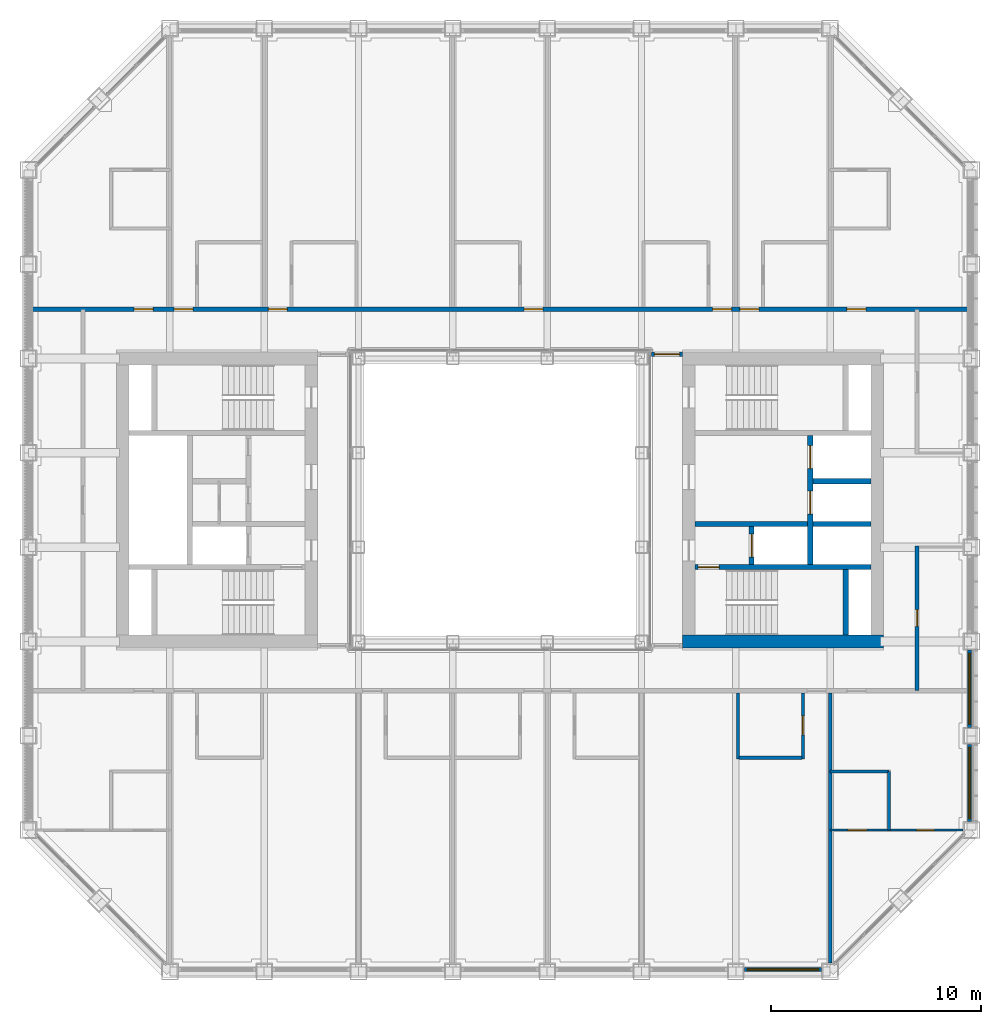
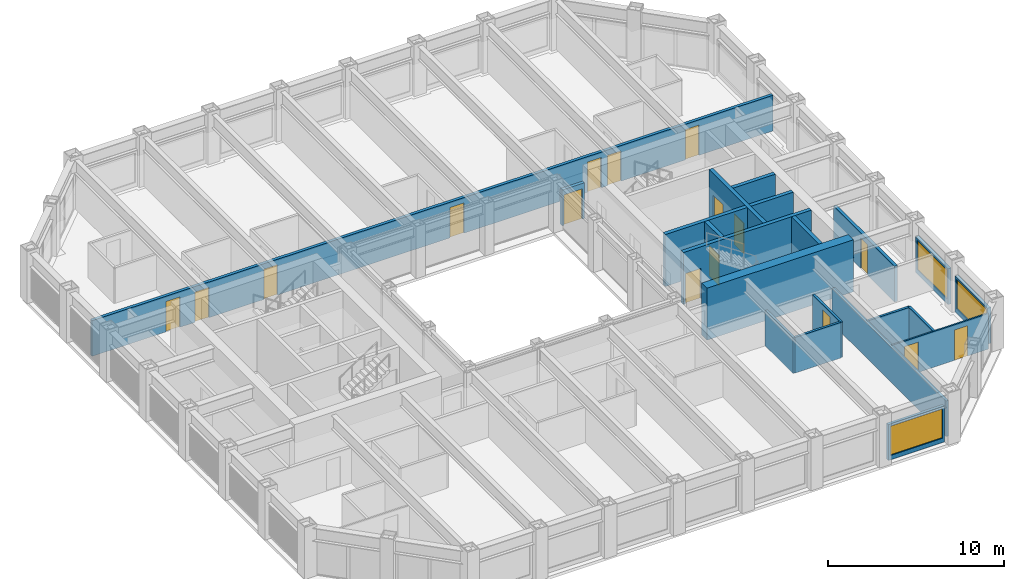
# One storey, part 12 of 17: 21 walls, 16 doors, 3 windows, 19 openings.
"""IFC4 building model written with IfcOpenShell, lengths in metres."""

from ifc_helpers import new_model, si_unit, direction, frame, frame_2d, origin, place, context, subcontext, project, spatial, rectangle, extrude, material, layer, layer_set, type_object, element, fill, save


model = new_model("IFC4")

# Units and contexts
model_context = context("Model", 3, precision=1e-05, world=origin(), true_north=direction((0.0, 1.0)))
body_context = subcontext(model_context, "Body", "Model", "MODEL_VIEW")
ifc_project = project(units=[si_unit("LENGTHUNIT", "METRE"), si_unit("AREAUNIT", "SQUARE_METRE"), si_unit("VOLUMEUNIT", "CUBIC_METRE"), si_unit("PLANEANGLEUNIT", "RADIAN"), si_unit("MASSUNIT", "GRAM", prefix="KILO")], contexts=[model_context])

# Site, building, storey
site_placement = place(None, origin())
site = spatial("IfcSite", under=ifc_project, at=site_placement, CompositionType="ELEMENT")
building_placement = place(site_placement, origin())
building = spatial("IfcBuilding", under=site, at=building_placement, Name="Msasa Ring Tower", CompositionType="ELEMENT")
storey_placement = place(building_placement, frame((0.0, 0.0, 150.800048828125)))
storey = spatial("IfcBuildingStorey", under=building, at=storey_placement, Name="L39", CompositionType="ELEMENT", Elevation=150.800048828125)

# Wall
ifc_material_1 = material(Name="Concrete C60/75", Category="concrete")
ifc_layer_1 = layer(ifc_material_1, 0.60009765625)
ifc_layer_set_1 = layer_set([ifc_layer_1], Name="CW2 CORE WALL 600")
wall_type_1 = type_object("IfcWallType", Name="CW2 CORE WALL 600", PredefinedType="SHEAR", material=ifc_layer_set_1)
wall_1_placement = place(storey_placement, frame((8.699951171875, -6.75, 0.0), z_axis=(0.0, 0.0, 1.0), x_axis=(1.0, 0.0, 0.0)))
element("IfcWall", 1, at=wall_1_placement, inside=storey, type_object=wall_type_1, Name="E core wall S L39", PredefinedType="SHEAR", context=body_context, shape_type="SweptSolid", body=[
    extrude(rectangle(XDim=9.60009765625, YDim=0.60009765625, at=frame_2d((4.800048828125, 0.0))), origin(), (0.0, 0.0, 1.0), 3.599853515625),
])

# Wall, opening, door
ifc_material_2 = material(Name="Concrete C60/75", Category="concrete")
ifc_layer_2 = layer(ifc_material_2, 0.25)
ifc_layer_set_2 = layer_set([ifc_layer_2], Name="CW4 CORE INNER WALL 250")
wall_type_2 = type_object("IfcWallType", Name="CW4 CORE INNER WALL 250", PredefinedType="SHEAR", material=ifc_layer_set_2)
wall_2_placement = place(storey_placement, frame((9.300048828125, -3.199951171875, 0.0), z_axis=(0.0, 0.0, 1.0), x_axis=(1.0, 0.0, 0.0)))
wall_2 = element("IfcWall", 2, at=wall_2_placement, inside=storey, type_object=wall_type_2, Name="E core wall STAIRA L39", PredefinedType="SHEAR", context=body_context, shape_type="SweptSolid", body=[
    extrude(rectangle(XDim=8.39990234375, YDim=0.25, at=frame_2d((4.199951171875, 0.0))), origin(), (0.0, 0.0, 1.0), 3.599853515625),
])
opening_1_placement = place(wall_2_placement, frame((0.14990234375, 0.0, 0.0)))
opening_1 = element("IfcOpeningElement", 3, at=opening_1_placement, cuts=wall_2, Name="Opening HD-029", PredefinedType="OPENING", context=body_context, shape_type="SweptSolid", body=[
    extrude(rectangle(XDim=1.0, YDim=2.10009765625, at=frame_2d((0.5, 1.050048828125))), frame((0.0, 0.135009765625, 0.0), z_axis=(0.0, -1.0, 0.0), x_axis=(1.0, 0.0, 0.0)), (0.0, 0.0, 1.0), 0.27001953125),
])
ifc_material_3 = material(Name="Timber door leaf in a steel frame", Category="steel")
door_type_1 = type_object("IfcDoorType", Name="D6 STAIR DOOR 1000x2100", OperationType="SINGLE_SWING_LEFT", PredefinedType="DOOR", material=ifc_material_3)
door_1_placement = place(opening_1_placement, origin())
door_1 = element("IfcDoor", 4, at=door_1_placement, inside=storey, type_object=door_type_1, Name="Door L39-ESTA", OperationType="SINGLE_SWING_LEFT", OverallHeight=2.10009765625, OverallWidth=1.0, PredefinedType="DOOR", context=body_context, shape_type="SweptSolid", body=[
    extrude(rectangle(XDim=1.0, YDim=2.10009765625, at=frame_2d((0.5, 1.050048828125))), frame((0.0, 0.02490234375, 0.0), z_axis=(0.0, -1.0, 0.0), x_axis=(1.0, 0.0, 0.0)), (0.0, 0.0, 1.0), 0.050048828125),
])
fill(opening_1, door_1)

# Walls
wall_3_placement = place(storey_placement, frame((16.5, -6.449951171875, 0.0), z_axis=(0.0, 0.0, 1.0), x_axis=(0.0, 1.0, 0.0)))
element("IfcWall", 5, at=wall_3_placement, inside=storey, type_object=wall_type_2, Name="E core wall RISERA L39", PredefinedType="SHEAR", context=body_context, shape_type="SweptSolid", body=[
    extrude(rectangle(XDim=3.125, YDim=0.25, at=frame_2d((1.5625, 0.0))), origin(), (0.0, 0.0, 1.0), 3.599853515625),
])
wall_4_placement = place(storey_placement, frame((9.300048828125, -1.14990234375, 0.0), z_axis=(0.0, 0.0, 1.0), x_axis=(1.0, 0.0, 0.0)))
element("IfcWall", 6, at=wall_4_placement, inside=storey, type_object=wall_type_2, Name="E core wall FFL L39", PredefinedType="SHEAR", context=body_context, shape_type="SweptSolid", body=[
    extrude(rectangle(XDim=5.375, YDim=0.25, at=frame_2d((2.6875, 0.0))), origin(), (0.0, 0.0, 1.0), 3.599853515625),
])

# Wall, opening, door
wall_5_placement = place(storey_placement, frame((12.0, -3.074951171875, 0.0), z_axis=(0.0, 0.0, 1.0), x_axis=(0.0, 1.0, 0.0)))
wall_5 = element("IfcWall", 7, at=wall_5_placement, inside=storey, type_object=wall_type_2, Name="E core wall LOBBY L39", PredefinedType="SHEAR", context=body_context, shape_type="SweptSolid", body=[
    extrude(rectangle(XDim=1.800048828125, YDim=0.25, at=frame_2d((0.89990234375, 0.0))), origin(), (0.0, 0.0, 1.0), 3.599853515625),
])
opening_2_placement = place(wall_5_placement, frame((0.35009765625, 0.0, 0.0)))
opening_2 = element("IfcOpeningElement", 8, at=opening_2_placement, cuts=wall_5, Name="Opening LD1", PredefinedType="OPENING", context=body_context, shape_type="SweptSolid", body=[
    extrude(rectangle(XDim=1.10009765625, YDim=2.10009765625, at=frame_2d((0.550048828125, 1.050048828125))), frame((0.0, 0.135009765625, 0.0), z_axis=(0.0, -1.0, 0.0), x_axis=(1.0, 0.0, 0.0)), (0.0, 0.0, 1.0), 0.27001953125),
])
ifc_material_4 = material(Name="Stainless steel lift landing door", Category="steel")
door_type_2 = type_object("IfcDoorType", Name="LD1 LIFT LANDING DOOR 1100x2100", OperationType="DOUBLE_DOOR_SLIDING", PredefinedType="DOOR", material=ifc_material_4)
door_2_placement = place(opening_2_placement, origin())
door_2 = element("IfcDoor", 9, at=door_2_placement, inside=storey, type_object=door_type_2, Name="Lift landing door FL-E L39", OperationType="DOUBLE_DOOR_SLIDING", OverallHeight=2.10009765625, OverallWidth=1.10009765625, PredefinedType="DOOR", context=body_context, shape_type="SweptSolid", body=[
    extrude(rectangle(XDim=1.10009765625, YDim=2.10009765625, at=frame_2d((0.550048828125, 1.050048828125))), frame((0.0, 0.02490234375, 0.0), z_axis=(0.0, -1.0, 0.0), x_axis=(1.0, 0.0, 0.0)), (0.0, 0.0, 1.0), 0.050048828125),
])
fill(opening_2, door_2)

# Wall, openings, doors
wall_6_placement = place(storey_placement, frame((14.800048828125, -3.074951171875, 0.0), z_axis=(0.0, 0.0, 1.0), x_axis=(0.0, 1.0, 0.0)))
wall_6 = element("IfcWall", 10, at=wall_6_placement, inside=storey, type_object=wall_type_2, Name="E core wall SHAFT L39", PredefinedType="SHEAR", context=body_context, shape_type="SweptSolid", body=[
    extrude(rectangle(XDim=6.14990234375, YDim=0.25, at=frame_2d((3.074951171875, 0.0))), origin(), (0.0, 0.0, 1.0), 3.599853515625),
])
opening_3_placement = place(wall_6_placement, frame((2.39990234375, 0.0, 0.0)))
opening_3 = element("IfcOpeningElement", 11, at=opening_3_placement, cuts=wall_6, Name="Opening LD1", PredefinedType="OPENING", context=body_context, shape_type="SweptSolid", body=[
    extrude(rectangle(XDim=1.10009765625, YDim=2.10009765625, at=frame_2d((0.550048828125, 1.050048828125))), frame((0.0, 0.135009765625, 0.0), z_axis=(0.0, -1.0, 0.0), x_axis=(1.0, 0.0, 0.0)), (0.0, 0.0, 1.0), 0.27001953125),
])
opening_4_placement = place(wall_6_placement, frame((4.574951171875, 0.0, 0.0)))
opening_4 = element("IfcOpeningElement", 12, at=opening_4_placement, cuts=wall_6, Name="Opening LD1", PredefinedType="OPENING", context=body_context, shape_type="SweptSolid", body=[
    extrude(rectangle(XDim=1.10009765625, YDim=2.10009765625, at=frame_2d((0.550048828125, 1.050048828125))), frame((0.0, 0.135009765625, 0.0), z_axis=(0.0, -1.0, 0.0), x_axis=(1.0, 0.0, 0.0)), (0.0, 0.0, 1.0), 0.27001953125),
])
door_3_placement = place(opening_3_placement, origin())
door_3 = element("IfcDoor", 13, at=door_3_placement, inside=storey, type_object=door_type_2, Name="Lift landing door PL-H1 L39", OperationType="DOUBLE_DOOR_SLIDING", OverallHeight=2.10009765625, OverallWidth=1.10009765625, PredefinedType="DOOR", context=body_context, shape_type="SweptSolid", body=[
    extrude(rectangle(XDim=1.10009765625, YDim=2.10009765625, at=frame_2d((0.550048828125, 1.050048828125))), frame((0.0, 0.02490234375, 0.0), z_axis=(0.0, -1.0, 0.0), x_axis=(1.0, 0.0, 0.0)), (0.0, 0.0, 1.0), 0.050048828125),
])
fill(opening_3, door_3)
door_4_placement = place(opening_4_placement, origin())
door_4 = element("IfcDoor", 14, at=door_4_placement, inside=storey, type_object=door_type_2, Name="Lift landing door PL-H2 L39", OperationType="DOUBLE_DOOR_SLIDING", OverallHeight=2.10009765625, OverallWidth=1.10009765625, PredefinedType="DOOR", context=body_context, shape_type="SweptSolid", body=[
    extrude(rectangle(XDim=1.10009765625, YDim=2.10009765625, at=frame_2d((0.550048828125, 1.050048828125))), frame((0.0, 0.02490234375, 0.0), z_axis=(0.0, -1.0, 0.0), x_axis=(1.0, 0.0, 0.0)), (0.0, 0.0, 1.0), 0.050048828125),
])
fill(opening_4, door_4)

# Walls
for number, where, z_axis, x_axis, name in (
    (15, (14.925048828125, -1.14990234375, 0.0), (0.0, 0.0, 1.0), (1.0, 0.0, 0.0), "E core wall HSEP L39"),
    (16, (14.925048828125, 0.89990234375, 0.0), (0.0, 0.0, 1.0), (1.0, 0.0, 0.0), "E core wall HLIFT L39"),
):
    element("IfcWall", number, at=place(storey_placement, frame(where, z_axis=z_axis, x_axis=x_axis)), inside=storey, type_object=wall_type_2, Name=name, PredefinedType="SHEAR", context=body_context, shape_type="SweptSolid", body=[
        extrude(rectangle(XDim=2.77490234375, YDim=0.25, at=frame_2d((1.387451171875, 0.0))), origin(), (0.0, 0.0, 1.0), 3.599853515625),
    ])

# Wall, opening, window
ifc_material_5 = material(Name="Terracotta rainscreen on blockwork", Category="masonry")
ifc_layer_3 = layer(ifc_material_5, 0.199951171875)
ifc_layer_set_3 = layer_set([ifc_layer_3], Name="FW1 TERRACOTTA-LINED INFILL BAY WALL 200")
wall_type_3 = type_object("IfcWallType", Name="FW1 TERRACOTTA-LINED INFILL BAY WALL 200", PredefinedType="SOLIDWALL", material=ifc_layer_set_3)
wall_7_placement = place(storey_placement, frame((11.655029296875, -22.39990234375, 0.0), z_axis=(0.0, 0.0, 1.0), x_axis=(1.0, 0.0, 0.0)))
wall_7 = element("IfcWall", 17, at=wall_7_placement, inside=storey, type_object=wall_type_3, Name="Infill bay wall S L39 06", PredefinedType="SOLIDWALL", context=body_context, shape_type="SweptSolid", body=[
    extrude(rectangle(XDim=3.68994140625, YDim=0.199951171875, at=frame_2d((1.844970703125, 0.0))), origin(), (0.0, 0.0, 1.0), 2.47900390625),
])
opening_5_placement = place(wall_7_placement, frame((0.14501953125, 0.0, 0.300048828125)))
opening_5 = element("IfcOpeningElement", 18, at=opening_5_placement, cuts=wall_7, Name="Opening WN2", PredefinedType="OPENING", context=body_context, shape_type="SweptSolid", body=[
    extrude(rectangle(XDim=3.39990234375, YDim=2.029052734375, at=frame_2d((1.699951171875, 1.0146484375))), frame((0.0, 0.10986328125, 0.0), z_axis=(0.0, -1.0, 0.0), x_axis=(1.0, 0.0, 0.0)), (0.0, 0.0, 1.0), 0.219970703125),
])
ifc_material_6 = material(Name="Aluminium frame with clear glass", Category="aluminium")
window_type = type_object("IfcWindowType", Name="WN2 GUEST ROOM WINDOW 3400x2029", PartitioningType="SINGLE_PANEL", PredefinedType="WINDOW", material=ifc_material_6)
window_1_placement = place(opening_5_placement, origin())
window_1 = element("IfcWindow", 19, at=window_1_placement, inside=storey, type_object=window_type, Name="Window S L39 06", OverallHeight=2.029052734375, OverallWidth=3.39990234375, PartitioningType="SINGLE_PANEL", PredefinedType="WINDOW", context=body_context, shape_type="SweptSolid", body=[
    extrude(rectangle(XDim=3.39990234375, YDim=2.029052734375, at=frame_2d((1.699951171875, 1.0146484375))), frame((0.0, 0.030029296875, 0.0), z_axis=(0.0, -1.0, 0.0), x_axis=(1.0, 0.0, 0.0)), (0.0, 0.0, 1.0), 0.06005859375),
])
fill(opening_5, window_1)

wall_8_placement = place(storey_placement, frame((22.39990234375, -15.344970703125, 0.0), z_axis=(0.0, 0.0, 1.0), x_axis=(0.0, 1.0, 0.0)))
wall_8 = element("IfcWall", 20, at=wall_8_placement, inside=storey, type_object=wall_type_3, Name="Infill bay wall E L39 09", PredefinedType="SOLIDWALL", context=body_context, shape_type="SweptSolid", body=[
    extrude(rectangle(XDim=3.68994140625, YDim=0.199951171875, at=frame_2d((1.844970703125, 0.0))), origin(), (0.0, 0.0, 1.0), 2.47900390625),
])
opening_6_placement = place(wall_8_placement, frame((0.14501953125, 0.0, 0.300048828125)))
opening_6 = element("IfcOpeningElement", 21, at=opening_6_placement, cuts=wall_8, Name="Opening WN2", PredefinedType="OPENING", context=body_context, shape_type="SweptSolid", body=[
    extrude(rectangle(XDim=3.39990234375, YDim=2.029052734375, at=frame_2d((1.699951171875, 1.0146484375))), frame((0.0, 0.10986328125, 0.0), z_axis=(0.0, -1.0, 0.0), x_axis=(1.0, 0.0, 0.0)), (0.0, 0.0, 1.0), 0.219970703125),
])
window_2_placement = place(opening_6_placement, origin())
window_2 = element("IfcWindow", 22, at=window_2_placement, inside=storey, type_object=window_type, Name="Window E L39 09", OverallHeight=2.029052734375, OverallWidth=3.39990234375, PartitioningType="SINGLE_PANEL", PredefinedType="WINDOW", context=body_context, shape_type="SweptSolid", body=[
    extrude(rectangle(XDim=3.39990234375, YDim=2.029052734375, at=frame_2d((1.699951171875, 1.0146484375))), frame((0.0, 0.030029296875, 0.0), z_axis=(0.0, -1.0, 0.0), x_axis=(1.0, 0.0, 0.0)), (0.0, 0.0, 1.0), 0.06005859375),
])
fill(opening_6, window_2)

wall_9_placement = place(storey_placement, frame((22.39990234375, -10.844970703125, 0.0), z_axis=(0.0, 0.0, 1.0), x_axis=(0.0, 1.0, 0.0)))
wall_9 = element("IfcWall", 23, at=wall_9_placement, inside=storey, type_object=wall_type_3, Name="Infill bay wall E L39 10", PredefinedType="SOLIDWALL", context=body_context, shape_type="SweptSolid", body=[
    extrude(rectangle(XDim=3.68994140625, YDim=0.199951171875, at=frame_2d((1.844970703125, 0.0))), origin(), (0.0, 0.0, 1.0), 2.47900390625),
])
opening_7_placement = place(wall_9_placement, frame((0.14501953125, 0.0, 0.300048828125)))
opening_7 = element("IfcOpeningElement", 24, at=opening_7_placement, cuts=wall_9, Name="Opening WN2", PredefinedType="OPENING", context=body_context, shape_type="SweptSolid", body=[
    extrude(rectangle(XDim=3.39990234375, YDim=2.029052734375, at=frame_2d((1.699951171875, 1.0146484375))), frame((0.0, 0.10986328125, 0.0), z_axis=(0.0, -1.0, 0.0), x_axis=(1.0, 0.0, 0.0)), (0.0, 0.0, 1.0), 0.219970703125),
])
window_3_placement = place(opening_7_placement, origin())
window_3 = element("IfcWindow", 25, at=window_3_placement, inside=storey, type_object=window_type, Name="Window E L39 10", OverallHeight=2.029052734375, OverallWidth=3.39990234375, PartitioningType="SINGLE_PANEL", PredefinedType="WINDOW", context=body_context, shape_type="SweptSolid", body=[
    extrude(rectangle(XDim=3.39990234375, YDim=2.029052734375, at=frame_2d((1.699951171875, 1.0146484375))), frame((0.0, 0.030029296875, 0.0), z_axis=(0.0, -1.0, 0.0), x_axis=(1.0, 0.0, 0.0)), (0.0, 0.0, 1.0), 0.06005859375),
])
fill(opening_7, window_3)

# Wall, opening, door
ifc_material_7 = material(Name="Concrete blockwork", Category="masonry")
ifc_layer_4 = layer(ifc_material_7, 0.199951171875)
ifc_layer_set_4 = layer_set([ifc_layer_4], Name="PT1 CORRIDOR WALL 200")
wall_type_4 = type_object("IfcWallType", Name="PT1 CORRIDOR WALL 200", PredefinedType="PARTITIONING", material=ifc_layer_set_4)
wall_10_placement = place(storey_placement, frame((7.22998046875, 6.949951171875, 0.0), z_axis=(0.0, 0.0, 1.0), x_axis=(1.0, 0.0, 0.0)))
wall_10 = element("IfcWall", 26, at=wall_10_placement, inside=storey, type_object=wall_type_4, Name="Corridor wall L39-SDEN", PredefinedType="PARTITIONING", context=body_context, shape_type="SweptSolid", body=[
    extrude(rectangle(XDim=1.469970703125, YDim=0.199951171875, at=frame_2d((0.73486328125, 0.0))), origin(), (0.0, 0.0, 1.0), 2.473388671875),
])
opening_8_placement = place(wall_10_placement, frame((0.135009765625, 0.0, 0.0)))
opening_8 = element("IfcOpeningElement", 27, at=opening_8_placement, cuts=wall_10, Name="Opening HD-016", PredefinedType="OPENING", context=body_context, shape_type="SweptSolid", body=[
    extrude(rectangle(XDim=1.199951171875, YDim=2.10009765625, at=frame_2d((0.60009765625, 1.050048828125))), frame((0.0, 0.10986328125, 0.0), z_axis=(0.0, -1.0, 0.0), x_axis=(1.0, 0.0, 0.0)), (0.0, 0.0, 1.0), 0.219970703125),
])
ifc_material_8 = material(Name="Timber door leaf in a steel frame", Category="steel")
door_type_3 = type_object("IfcDoorType", Name="D25 CORRIDOR PAIR OF SMOKE DOORS 1200x2100", OperationType="DOUBLE_DOOR_DOUBLE_SWING", PredefinedType="DOOR", material=ifc_material_8)
door_5_placement = place(opening_8_placement, origin())
door_5 = element("IfcDoor", 28, at=door_5_placement, inside=storey, type_object=door_type_3, Name="Door L39-SDEN", OperationType="DOUBLE_DOOR_DOUBLE_SWING", OverallHeight=2.10009765625, OverallWidth=1.199951171875, PredefinedType="DOOR", context=body_context, shape_type="SweptSolid", body=[
    extrude(rectangle(XDim=1.199951171875, YDim=2.10009765625, at=frame_2d((0.60009765625, 1.050048828125))), frame((0.0, 0.02490234375, 0.0), z_axis=(0.0, -1.0, 0.0), x_axis=(1.0, 0.0, 0.0)), (0.0, 0.0, 1.0), 0.050048828125),
])
fill(opening_8, door_5)

# Wall, openings, doors
wall_11_placement = place(storey_placement, frame((-22.300048828125, 9.10009765625, 0.0), z_axis=(0.0, 0.0, 1.0), x_axis=(1.0, 0.0, 0.0)))
wall_11 = element("IfcWall", 29, at=wall_11_placement, inside=storey, type_object=wall_type_4, Name="Corridor wall L39-CORRN0", PredefinedType="PARTITIONING", context=body_context, shape_type="SweptSolid", body=[
    extrude(rectangle(XDim=44.60009765625, YDim=0.199951171875, at=frame_2d((22.300048828125, 0.0))), origin(), (0.0, 0.0, 1.0), 2.473388671875),
])
opening_9_placement = place(wall_11_placement, frame((6.75, 0.0, 0.0)))
opening_9 = element("IfcOpeningElement", 30, at=opening_9_placement, cuts=wall_11, Name="Opening HD-009", PredefinedType="OPENING", context=body_context, shape_type="SweptSolid", body=[
    extrude(rectangle(XDim=0.89990234375, YDim=2.10009765625, at=frame_2d((0.449951171875, 1.050048828125))), frame((0.0, 0.10986328125, 0.0), z_axis=(0.0, -1.0, 0.0), x_axis=(1.0, 0.0, 0.0)), (0.0, 0.0, 1.0), 0.219970703125),
])
opening_10_placement = place(wall_11_placement, frame((11.25, 0.0, 0.0)))
opening_10 = element("IfcOpeningElement", 31, at=opening_10_placement, cuts=wall_11, Name="Opening HD-010", PredefinedType="OPENING", context=body_context, shape_type="SweptSolid", body=[
    extrude(rectangle(XDim=0.89990234375, YDim=2.10009765625, at=frame_2d((0.449951171875, 1.050048828125))), frame((0.0, 0.10986328125, 0.0), z_axis=(0.0, -1.0, 0.0), x_axis=(1.0, 0.0, 0.0)), (0.0, 0.0, 1.0), 0.219970703125),
])
opening_11_placement = place(wall_11_placement, frame((23.449951171875, 0.0, 0.0)))
opening_11 = element("IfcOpeningElement", 32, at=opening_11_placement, cuts=wall_11, Name="Opening HD-011", PredefinedType="OPENING", context=body_context, shape_type="SweptSolid", body=[
    extrude(rectangle(XDim=0.89990234375, YDim=2.10009765625, at=frame_2d((0.449951171875, 1.050048828125))), frame((0.0, 0.10986328125, 0.0), z_axis=(0.0, -1.0, 0.0), x_axis=(1.0, 0.0, 0.0)), (0.0, 0.0, 1.0), 0.219970703125),
])
opening_12_placement = place(wall_11_placement, frame((32.449951171875, 0.0, 0.0)))
opening_12 = element("IfcOpeningElement", 33, at=opening_12_placement, cuts=wall_11, Name="Opening HD-012", PredefinedType="OPENING", context=body_context, shape_type="SweptSolid", body=[
    extrude(rectangle(XDim=0.89990234375, YDim=2.10009765625, at=frame_2d((0.449951171875, 1.050048828125))), frame((0.0, 0.10986328125, 0.0), z_axis=(0.0, -1.0, 0.0), x_axis=(1.0, 0.0, 0.0)), (0.0, 0.0, 1.0), 0.219970703125),
])
opening_13_placement = place(wall_11_placement, frame((33.75, 0.0, 0.0)))
opening_13 = element("IfcOpeningElement", 34, at=opening_13_placement, cuts=wall_11, Name="Opening HD-013", PredefinedType="OPENING", context=body_context, shape_type="SweptSolid", body=[
    extrude(rectangle(XDim=0.89990234375, YDim=2.10009765625, at=frame_2d((0.449951171875, 1.050048828125))), frame((0.0, 0.10986328125, 0.0), z_axis=(0.0, -1.0, 0.0), x_axis=(1.0, 0.0, 0.0)), (0.0, 0.0, 1.0), 0.219970703125),
])
opening_14_placement = place(wall_11_placement, frame((38.85009765625, 0.0, 0.0)))
opening_14 = element("IfcOpeningElement", 35, at=opening_14_placement, cuts=wall_11, Name="Opening HD-014", PredefinedType="OPENING", context=body_context, shape_type="SweptSolid", body=[
    extrude(rectangle(XDim=0.89990234375, YDim=2.10009765625, at=frame_2d((0.449951171875, 1.050048828125))), frame((0.0, 0.10986328125, 0.0), z_axis=(0.0, -1.0, 0.0), x_axis=(1.0, 0.0, 0.0)), (0.0, 0.0, 1.0), 0.219970703125),
])
opening_15_placement = place(wall_11_placement, frame((4.85009765625, 0.0, 0.0)))
opening_15 = element("IfcOpeningElement", 36, at=opening_15_placement, cuts=wall_11, Name="Opening HD-008", PredefinedType="OPENING", context=body_context, shape_type="SweptSolid", body=[
    extrude(rectangle(XDim=0.89990234375, YDim=2.10009765625, at=frame_2d((0.449951171875, 1.050048828125))), frame((0.0, 0.10986328125, 0.0), z_axis=(0.0, -1.0, 0.0), x_axis=(1.0, 0.0, 0.0)), (0.0, 0.0, 1.0), 0.219970703125),
])
ifc_material_9 = material(Name="Timber door leaf in a steel frame", Category="steel")
door_type_4 = type_object("IfcDoorType", Name="D1 SINGLE DOOR TO CORRIDOR 900x2100", OperationType="SINGLE_SWING_LEFT", PredefinedType="DOOR", material=ifc_material_9)
door_6_placement = place(opening_9_placement, origin())
door_6 = element("IfcDoor", 37, at=door_6_placement, inside=storey, type_object=door_type_4, Name="Door L39-GN00", OperationType="SINGLE_SWING_LEFT", OverallHeight=2.10009765625, OverallWidth=0.89990234375, PredefinedType="DOOR", context=body_context, shape_type="SweptSolid", body=[
    extrude(rectangle(XDim=0.89990234375, YDim=2.10009765625, at=frame_2d((0.449951171875, 1.050048828125))), frame((0.0, 0.02490234375, 0.0), z_axis=(0.0, -1.0, 0.0), x_axis=(1.0, 0.0, 0.0)), (0.0, 0.0, 1.0), 0.050048828125),
])
fill(opening_9, door_6)
door_7_placement = place(opening_10_placement, origin())
door_7 = element("IfcDoor", 38, at=door_7_placement, inside=storey, type_object=door_type_4, Name="Door L39-GN01", OperationType="SINGLE_SWING_LEFT", OverallHeight=2.10009765625, OverallWidth=0.89990234375, PredefinedType="DOOR", context=body_context, shape_type="SweptSolid", body=[
    extrude(rectangle(XDim=0.89990234375, YDim=2.10009765625, at=frame_2d((0.449951171875, 1.050048828125))), frame((0.0, 0.02490234375, 0.0), z_axis=(0.0, -1.0, 0.0), x_axis=(1.0, 0.0, 0.0)), (0.0, 0.0, 1.0), 0.050048828125),
])
fill(opening_10, door_7)
door_8_placement = place(opening_11_placement, origin())
door_8 = element("IfcDoor", 39, at=door_8_placement, inside=storey, type_object=door_type_4, Name="Door L39-GN02", OperationType="SINGLE_SWING_RIGHT", OverallHeight=2.10009765625, OverallWidth=0.89990234375, PredefinedType="DOOR", context=body_context, shape_type="SweptSolid", body=[
    extrude(rectangle(XDim=0.89990234375, YDim=2.10009765625, at=frame_2d((0.449951171875, 1.050048828125))), frame((0.0, 0.02490234375, 0.0), z_axis=(0.0, -1.0, 0.0), x_axis=(1.0, 0.0, 0.0)), (0.0, 0.0, 1.0), 0.050048828125),
])
fill(opening_11, door_8)
door_9_placement = place(opening_12_placement, origin())
door_9 = element("IfcDoor", 40, at=door_9_placement, inside=storey, type_object=door_type_4, Name="Door L39-GN03", OperationType="SINGLE_SWING_RIGHT", OverallHeight=2.10009765625, OverallWidth=0.89990234375, PredefinedType="DOOR", context=body_context, shape_type="SweptSolid", body=[
    extrude(rectangle(XDim=0.89990234375, YDim=2.10009765625, at=frame_2d((0.449951171875, 1.050048828125))), frame((0.0, 0.02490234375, 0.0), z_axis=(0.0, -1.0, 0.0), x_axis=(1.0, 0.0, 0.0)), (0.0, 0.0, 1.0), 0.050048828125),
])
fill(opening_12, door_9)
door_10_placement = place(opening_13_placement, origin())
door_10 = element("IfcDoor", 41, at=door_10_placement, inside=storey, type_object=door_type_4, Name="Door L39-GN04", OperationType="SINGLE_SWING_RIGHT", OverallHeight=2.10009765625, OverallWidth=0.89990234375, PredefinedType="DOOR", context=body_context, shape_type="SweptSolid", body=[
    extrude(rectangle(XDim=0.89990234375, YDim=2.10009765625, at=frame_2d((0.449951171875, 1.050048828125))), frame((0.0, 0.02490234375, 0.0), z_axis=(0.0, -1.0, 0.0), x_axis=(1.0, 0.0, 0.0)), (0.0, 0.0, 1.0), 0.050048828125),
])
fill(opening_13, door_10)
ifc_material_10 = material(Name="Timber door leaf in a steel frame", Category="steel")
door_type_5 = type_object("IfcDoorType", Name="D2 ENTRANCE DOOR 900x2100", OperationType="SINGLE_SWING_LEFT", PredefinedType="DOOR", material=ifc_material_10)
door_11_placement = place(opening_14_placement, origin())
door_11 = element("IfcDoor", 42, at=door_11_placement, inside=storey, type_object=door_type_5, Name="Door L39-CSNE", OperationType="SINGLE_SWING_RIGHT", OverallHeight=2.10009765625, OverallWidth=0.89990234375, PredefinedType="DOOR", context=body_context, shape_type="SweptSolid", body=[
    extrude(rectangle(XDim=0.89990234375, YDim=2.10009765625, at=frame_2d((0.449951171875, 1.050048828125))), frame((0.0, 0.02490234375, 0.0), z_axis=(0.0, -1.0, 0.0), x_axis=(1.0, 0.0, 0.0)), (0.0, 0.0, 1.0), 0.050048828125),
])
fill(opening_14, door_11)
door_12_placement = place(opening_15_placement, origin())
door_12 = element("IfcDoor", 43, at=door_12_placement, inside=storey, type_object=door_type_5, Name="Door L39-CSNW", OperationType="SINGLE_SWING_LEFT", OverallHeight=2.10009765625, OverallWidth=0.89990234375, PredefinedType="DOOR", context=body_context, shape_type="SweptSolid", body=[
    extrude(rectangle(XDim=0.89990234375, YDim=2.10009765625, at=frame_2d((0.449951171875, 1.050048828125))), frame((0.0, 0.02490234375, 0.0), z_axis=(0.0, -1.0, 0.0), x_axis=(1.0, 0.0, 0.0)), (0.0, 0.0, 1.0), 0.050048828125),
])
fill(opening_15, door_12)

# Wall, opening, door
wall_12_placement = place(storey_placement, frame((19.89990234375, -9.10009765625, 0.0), z_axis=(0.0, 0.0, 1.0), x_axis=(0.0, 1.0, 0.0)))
wall_12 = element("IfcWall", 44, at=wall_12_placement, inside=storey, type_object=wall_type_4, Name="Corridor wall L39-STRES", PredefinedType="PARTITIONING", context=body_context, shape_type="SweptSolid", body=[
    extrude(rectangle(XDim=6.900146484375, YDim=0.199951171875, at=frame_2d((3.4501953125, 0.0))), origin(), (0.0, 0.0, 1.0), 2.473388671875),
])
opening_16_placement = place(wall_12_placement, frame((3.074951171875, 0.0, 0.0)))
opening_16 = element("IfcOpeningElement", 45, at=opening_16_placement, cuts=wall_12, Name="Opening HD-030", PredefinedType="OPENING", context=body_context, shape_type="SweptSolid", body=[
    extrude(rectangle(XDim=0.800048828125, YDim=2.10009765625, at=frame_2d((0.39990234375, 1.050048828125))), frame((0.0, 0.10986328125, 0.0), z_axis=(0.0, -1.0, 0.0), x_axis=(1.0, 0.0, 0.0)), (0.0, 0.0, 1.0), 0.219970703125),
])
ifc_material_11 = material(Name="Timber door leaf in a steel frame", Category="steel")
door_type_6 = type_object("IfcDoorType", Name="D11 NARROW STORE DOOR 800x2100", OperationType="SINGLE_SWING_LEFT", PredefinedType="DOOR", material=ifc_material_11)
door_13_placement = place(opening_16_placement, origin())
door_13 = element("IfcDoor", 46, at=door_13_placement, inside=storey, type_object=door_type_6, Name="Door L39-CLE", OperationType="SINGLE_SWING_LEFT", OverallHeight=2.10009765625, OverallWidth=0.800048828125, PredefinedType="DOOR", context=body_context, shape_type="SweptSolid", body=[
    extrude(rectangle(XDim=0.800048828125, YDim=2.10009765625, at=frame_2d((0.39990234375, 1.050048828125))), frame((0.0, 0.02490234375, 0.0), z_axis=(0.0, -1.0, 0.0), x_axis=(1.0, 0.0, 0.0)), (0.0, 0.0, 1.0), 0.050048828125),
])
fill(opening_16, door_13)

# Wall, openings, doors
ifc_material_12 = material(Name="Gypsum board on steel studs", Category="steel")
ifc_layer_5 = layer(ifc_material_12, 0.10009765625)
ifc_layer_set_5 = layer_set([ifc_layer_5], Name="PT2 STUD PARTITION 100")
wall_type_5 = type_object("IfcWallType", Name="PT2 STUD PARTITION 100", PredefinedType="PARTITIONING", material=ifc_layer_set_5)
wall_13_placement = place(storey_placement, frame((15.75, -15.75, 0.0), z_axis=(0.0, 0.0, 1.0), x_axis=(1.0, 0.0, 0.0)))
wall_13 = element("IfcWall", 47, at=wall_13_placement, inside=storey, type_object=wall_type_5, Name="Partition L39-CSSEX", PredefinedType="PARTITIONING", context=body_context, shape_type="SweptSolid", body=[
    extrude(rectangle(XDim=6.35009765625, YDim=0.10009765625, at=frame_2d((3.175048828125, 0.0))), origin(), (0.0, 0.0, 1.0), 2.473388671875),
])
opening_17_placement = place(wall_13_placement, frame((4.125, 0.0, 0.0)))
opening_17 = element("IfcOpeningElement", 48, at=opening_17_placement, cuts=wall_13, Name="Opening HD-048", PredefinedType="OPENING", context=body_context, shape_type="SweptSolid", body=[
    extrude(rectangle(XDim=0.85009765625, YDim=2.10009765625, at=frame_2d((0.425048828125, 1.050048828125))), frame((0.0, 0.06005859375, 0.0), z_axis=(0.0, -1.0, 0.0), x_axis=(1.0, 0.0, 0.0)), (0.0, 0.0, 1.0), 0.1201171875),
])
opening_18_placement = place(wall_13_placement, frame((0.85009765625, 0.0, 0.0)))
opening_18 = element("IfcOpeningElement", 49, at=opening_18_placement, cuts=wall_13, Name="Opening HD-047", PredefinedType="OPENING", context=body_context, shape_type="SweptSolid", body=[
    extrude(rectangle(XDim=0.89990234375, YDim=2.10009765625, at=frame_2d((0.449951171875, 1.050048828125))), frame((0.0, 0.06005859375, 0.0), z_axis=(0.0, -1.0, 0.0), x_axis=(1.0, 0.0, 0.0)), (0.0, 0.0, 1.0), 0.1201171875),
])
ifc_material_13 = material(Name="Timber door leaf in a steel frame", Category="steel")
door_type_7 = type_object("IfcDoorType", Name="D14 BEDROOM DOOR 850x2100", OperationType="SINGLE_SWING_LEFT", PredefinedType="DOOR", material=ifc_material_13)
door_14_placement = place(opening_17_placement, origin())
door_14 = element("IfcDoor", 50, at=door_14_placement, inside=storey, type_object=door_type_7, Name="Door L39-CSSER1", OperationType="SINGLE_SWING_RIGHT", OverallHeight=2.10009765625, OverallWidth=0.85009765625, PredefinedType="DOOR", context=body_context, shape_type="SweptSolid", body=[
    extrude(rectangle(XDim=0.85009765625, YDim=2.10009765625, at=frame_2d((0.425048828125, 1.050048828125))), frame((0.0, 0.02490234375, 0.0), z_axis=(0.0, -1.0, 0.0), x_axis=(1.0, 0.0, 0.0)), (0.0, 0.0, 1.0), 0.050048828125),
])
fill(opening_17, door_14)
ifc_material_14 = material(Name="Timber door leaf in a steel frame", Category="steel")
door_type_8 = type_object("IfcDoorType", Name="D3 BATHROOM DOOR 900x2100", OperationType="SINGLE_SWING_LEFT", PredefinedType="DOOR", material=ifc_material_14)
door_15_placement = place(opening_18_placement, origin())
door_15 = element("IfcDoor", 51, at=door_15_placement, inside=storey, type_object=door_type_8, Name="Door L39-CSSEB1", OperationType="SINGLE_SWING_LEFT", OverallHeight=2.10009765625, OverallWidth=0.89990234375, PredefinedType="DOOR", context=body_context, shape_type="SweptSolid", body=[
    extrude(rectangle(XDim=0.89990234375, YDim=2.10009765625, at=frame_2d((0.449951171875, 1.050048828125))), frame((0.0, 0.02490234375, 0.0), z_axis=(0.0, -1.0, 0.0), x_axis=(1.0, 0.0, 0.0)), (0.0, 0.0, 1.0), 0.050048828125),
])
fill(opening_18, door_15)

# Wall, opening, door
ifc_material_15 = material(Name="Moisture-resistant board on steel studs with a concealed cistern and pipe void, tiled", Category="steel")
ifc_layer_6 = layer(ifc_material_15, 0.14990234375)
ifc_layer_set_6 = layer_set([ifc_layer_6], Name="PT4 BATHROOM WET WALL 150")
wall_type_6 = type_object("IfcWallType", Name="PT4 BATHROOM WET WALL 150", PredefinedType="PARTITIONING", material=ifc_layer_set_6)
wall_14_placement = place(storey_placement, frame((14.449951171875, -12.35009765625, 0.0), z_axis=(0.0, 0.0, 1.0), x_axis=(0.0, 1.0, 0.0)))
wall_14 = element("IfcWall", 52, at=wall_14_placement, inside=storey, type_object=wall_type_6, Name="Partition L39-GS04BX", PredefinedType="PARTITIONING", context=body_context, shape_type="SweptSolid", body=[
    extrude(rectangle(XDim=3.150146484375, YDim=0.14990234375, at=frame_2d((1.5751953125, 0.0))), origin(), (0.0, 0.0, 1.0), 2.473388671875),
])
opening_19_placement = place(wall_14_placement, frame((1.14990234375, 0.0, 0.0)))
opening_19 = element("IfcOpeningElement", 53, at=opening_19_placement, cuts=wall_14, Name="Opening HD-044", PredefinedType="OPENING", context=body_context, shape_type="SweptSolid", body=[
    extrude(rectangle(XDim=0.89990234375, YDim=2.10009765625, at=frame_2d((0.449951171875, 1.050048828125))), frame((0.0, 0.0849609375, 0.0), z_axis=(0.0, -1.0, 0.0), x_axis=(1.0, 0.0, 0.0)), (0.0, 0.0, 1.0), 0.169921875),
])
door_16_placement = place(opening_19_placement, origin())
door_16 = element("IfcDoor", 54, at=door_16_placement, inside=storey, type_object=door_type_8, Name="Door L39-GS04B", OperationType="SINGLE_SWING_LEFT", OverallHeight=2.10009765625, OverallWidth=0.89990234375, PredefinedType="DOOR", context=body_context, shape_type="SweptSolid", body=[
    extrude(rectangle(XDim=0.89990234375, YDim=2.10009765625, at=frame_2d((0.449951171875, 1.050048828125))), frame((0.0, 0.02490234375, 0.0), z_axis=(0.0, -1.0, 0.0), x_axis=(1.0, 0.0, 0.0)), (0.0, 0.0, 1.0), 0.050048828125),
])
fill(opening_19, door_16)

# Walls
wall_15_placement = place(storey_placement, frame((11.35009765625, -12.35009765625, 0.0), z_axis=(0.0, 0.0, 1.0), x_axis=(0.0, 1.0, 0.0)))
element("IfcWall", 55, at=wall_15_placement, inside=storey, type_object=wall_type_6, Name="Partition L39-GS04BF", PredefinedType="PARTITIONING", context=body_context, shape_type="SweptSolid", body=[
    extrude(rectangle(XDim=3.150146484375, YDim=0.14990234375, at=frame_2d((1.5751953125, 0.0))), origin(), (0.0, 0.0, 1.0), 2.473388671875),
])
wall_16_placement = place(storey_placement, frame((11.39990234375, -12.300048828125, 0.0), z_axis=(0.0, 0.0, 1.0), x_axis=(1.0, 0.0, 0.0)))
element("IfcWall", 56, at=wall_16_placement, inside=storey, type_object=wall_type_6, Name="Partition L39-GS04BY", PredefinedType="PARTITIONING", context=body_context, shape_type="SweptSolid", body=[
    extrude(rectangle(XDim=3.0, YDim=0.14990234375, at=frame_2d((1.5, 0.0))), origin(), (0.0, 0.0, 1.0), 2.473388671875),
])
for number, where, z_axis, x_axis, name in (
    (57, (18.550048828125, -15.75, 0.0), (0.0, 0.0, 1.0), (0.0, 1.0, 0.0), "Partition L39-CSSEBX"),
    (58, (15.75, -12.949951171875, 0.0), (0.0, 0.0, 1.0), (1.0, 0.0, 0.0), "Partition L39-CSSEBY"),
):
    element("IfcWall", number, at=place(storey_placement, frame(where, z_axis=z_axis, x_axis=x_axis)), inside=storey, type_object=wall_type_6, Name=name, PredefinedType="PARTITIONING", context=body_context, shape_type="SweptSolid", body=[
        extrude(rectangle(XDim=2.800048828125, YDim=0.14990234375, at=frame_2d((1.39990234375, 0.0))), origin(), (0.0, 0.0, 1.0), 2.473388671875),
    ])
ifc_material_16 = material(Name="Twin steel studs, two layers of acoustic board each face, mineral wool", Category="steel")
ifc_layer_7 = layer(ifc_material_16, 0.175048828125)
ifc_layer_set_7 = layer_set([ifc_layer_7], Name="PT5 GUEST ROOM SEPARATING WALL 175")
wall_type_7 = type_object("IfcWallType", Name="PT5 GUEST ROOM SEPARATING WALL 175", PredefinedType="PARTITIONING", material=ifc_layer_set_7)
wall_17_placement = place(storey_placement, frame((15.75, -22.10009765625, 0.0), z_axis=(0.0, 0.0, 1.0), x_axis=(0.0, 1.0, 0.0)))
element("IfcWall", 59, at=wall_17_placement, inside=storey, type_object=wall_type_7, Name="Partition L39-PWS+15.75", PredefinedType="PARTITIONING", context=body_context, shape_type="SweptSolid", body=[
    extrude(rectangle(XDim=12.900146484375, YDim=0.175048828125, at=frame_2d((6.4501953125, 0.0))), origin(), (0.0, 0.0, 1.0), 2.473388671875),
])

save(model, "model.ifc")
